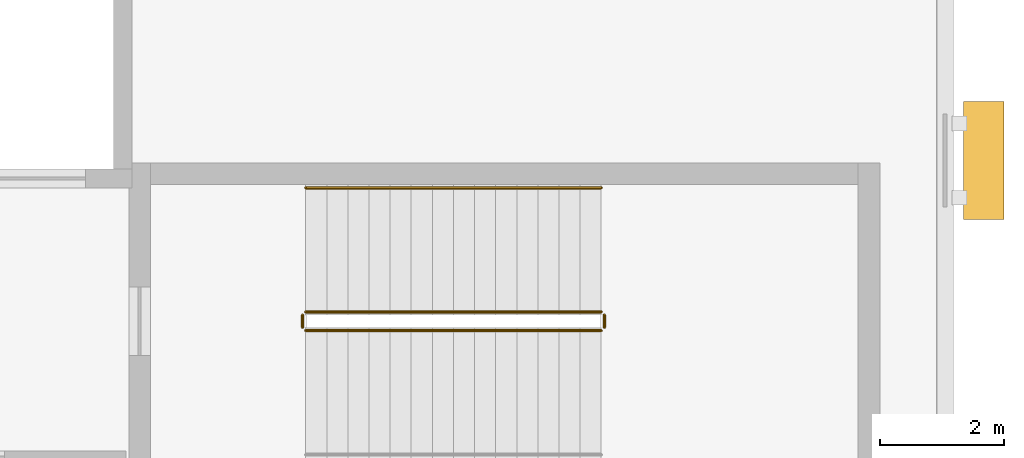
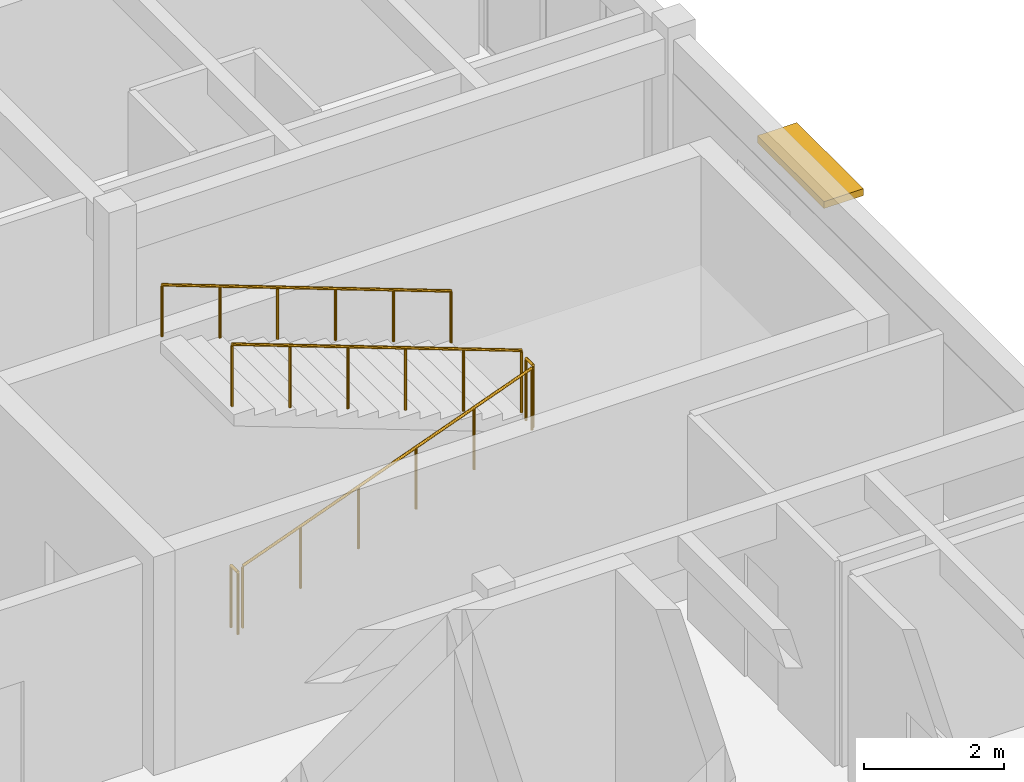
# One storey, part 17 of 17: 5 railings, 1 shading device.
"""IFC4 building model written with IfcOpenShell, lengths in metres."""

from ifc_helpers import new_model, si_unit, direction, frame, origin, origin_2d, place, context, subcontext, project, spatial, rectangle, circle, extrude, material, type_object, element, save


model = new_model("IFC4")

# Units and contexts
model_context = context("Model", 3, precision=1e-05, world=origin(), true_north=direction((0.0, 1.0)))
body_context = subcontext(model_context, "Body", "Model", "MODEL_VIEW")
ifc_project = project(units=[si_unit("LENGTHUNIT", "METRE"), si_unit("AREAUNIT", "SQUARE_METRE"), si_unit("VOLUMEUNIT", "CUBIC_METRE"), si_unit("PLANEANGLEUNIT", "RADIAN"), si_unit("MASSUNIT", "GRAM", prefix="KILO")], contexts=[model_context])

# Site, building, storey
site_placement = place(None, origin())
site = spatial("IfcSite", under=ifc_project, at=site_placement, CompositionType="ELEMENT")
building_placement = place(site_placement, origin())
building = spatial("IfcBuilding", under=site, at=building_placement, Name="Veldera Park Congress Hotel", CompositionType="ELEMENT")
storey_placement = place(building_placement, frame((0.0, 0.0, 35.199951171875)))
storey = spatial("IfcBuildingStorey", under=building, at=storey_placement, Name="L08", CompositionType="ELEMENT", Elevation=35.199951171875)

# Railings
ifc_material_1 = material(Name="Steel ASTM A992 Gr.50", Category="steel")
railing_type_1 = type_object("IfcRailingType", Name="GRD-ST110", PredefinedType="GUARDRAIL", material=ifc_material_1)
railing_1_placement = place(storey_placement, frame((73.699951171875, 41.64990234375, 0.126708984375)))
element("IfcRailing", 1, at=railing_1_placement, inside=storey, type_object=railing_type_1, Name="L08 ST1 stair guard 1", PredefinedType="GUARDRAIL", context=body_context, shape_type="SweptSolid", body=[
    extrude(circle(Radius=0.02392578125, at=origin_2d()), frame((0.0, 0.0, 1.076171875), z_axis=(0.937075640343, 0.0, 0.349126401572), x_axis=(0.0, 1.0, 0.0)), (0.0, 0.0, 1.0), 5.07958984375),
    extrude(circle(Radius=0.02099609375, at=origin_2d()), origin(), (0.0, 0.0, 1.0), 1.052001953125),
    extrude(circle(Radius=0.02099609375, at=origin_2d()), frame((0.951904296875, 0.0, 0.354736328125)), (0.0, 0.0, 1.0), 1.052001953125),
    extrude(circle(Radius=0.02099609375, at=origin_2d()), frame((1.904052734375, 0.0, 0.70947265625)), (0.0, 0.0, 1.0), 1.052001953125),
    extrude(circle(Radius=0.02099609375, at=origin_2d()), frame((2.85595703125, 0.0, 1.06396484375)), (0.0, 0.0, 1.0), 1.052001953125),
    extrude(circle(Radius=0.02099609375, at=origin_2d()), frame((3.80810546875, 0.0, 1.418701171875)), (0.0, 0.0, 1.0), 1.052001953125),
    extrude(circle(Radius=0.02099609375, at=origin_2d()), frame((4.760009765625, 0.0, 1.7734375)), (0.0, 0.0, 1.0), 1.052001953125),
])
railing_2_placement = place(storey_placement, frame((78.510009765625, 41.699951171875, 1.900146484375)))
element("IfcRailing", 2, at=railing_2_placement, inside=storey, type_object=railing_type_1, Name="L08 ST1 stair guard 2", PredefinedType="GUARDRAIL", context=body_context, shape_type="SweptSolid", body=[
    extrude(circle(Radius=0.02392578125, at=origin_2d()), frame((0.0, 0.0, 1.076171875), z_axis=(0.0, 1.0, 0.0), x_axis=(-1.0, 0.0, 0.0)), (0.0, 0.0, 1.0), 0.199951171875),
    extrude(circle(Radius=0.02099609375, at=origin_2d()), origin(), (0.0, 0.0, 1.0), 1.052001953125),
    extrude(circle(Radius=0.02099609375, at=origin_2d()), frame((0.0, 0.199951171875, 0.0)), (0.0, 0.0, 1.0), 1.052001953125),
])
railing_3_placement = place(storey_placement, frame((78.4599609375, 41.949951171875, 2.026611328125)))
element("IfcRailing", 3, at=railing_3_placement, inside=storey, type_object=railing_type_1, Name="L08 ST1 stair guard 3", PredefinedType="GUARDRAIL", context=body_context, shape_type="SweptSolid", body=[
    extrude(circle(Radius=0.02392578125, at=origin_2d()), frame((0.0, 0.0, 1.076171875), z_axis=(-0.937075640343, 0.0, 0.349126401572), x_axis=(0.0, -1.0, 0.0)), (0.0, 0.0, 1.0), 5.07958984375),
    extrude(circle(Radius=0.02099609375, at=origin_2d()), origin(), (0.0, 0.0, 1.0), 1.052001953125),
    extrude(circle(Radius=0.02099609375, at=origin_2d()), frame((-0.951904296875, 0.0, 0.354736328125)), (0.0, 0.0, 1.0), 1.052001953125),
    extrude(circle(Radius=0.02099609375, at=origin_2d()), frame((-1.904052734375, 0.0, 0.70947265625)), (0.0, 0.0, 1.0), 1.052001953125),
    extrude(circle(Radius=0.02099609375, at=origin_2d()), frame((-2.85595703125, 0.0, 1.06396484375)), (0.0, 0.0, 1.0), 1.052001953125),
    extrude(circle(Radius=0.02099609375, at=origin_2d()), frame((-3.80810546875, 0.0, 1.418701171875)), (0.0, 0.0, 1.0), 1.052001953125),
    extrude(circle(Radius=0.02099609375, at=origin_2d()), frame((-4.760009765625, 0.0, 1.7734375)), (0.0, 0.0, 1.0), 1.052001953125),
])
railing_4_placement = place(storey_placement, frame((73.64990234375, 41.699951171875, 0.0)))
element("IfcRailing", 4, at=railing_4_placement, inside=storey, type_object=railing_type_1, Name="L08 ST1 stair guard 4", PredefinedType="GUARDRAIL", context=body_context, shape_type="SweptSolid", body=[
    extrude(circle(Radius=0.02392578125, at=origin_2d()), frame((0.0, 0.0, 1.076171875), z_axis=(0.0, 1.0, 0.0), x_axis=(-1.0, 0.0, 0.0)), (0.0, 0.0, 1.0), 0.199951171875),
    extrude(circle(Radius=0.02099609375, at=origin_2d()), origin(), (0.0, 0.0, 1.0), 1.052001953125),
    extrude(circle(Radius=0.02099609375, at=origin_2d()), frame((0.0, 0.199951171875, 0.0)), (0.0, 0.0, 1.0), 1.052001953125),
])
railing_type_2 = type_object("IfcRailingType", Name="HRL-920", PredefinedType="HANDRAIL", material=ifc_material_1)
railing_5_placement = place(storey_placement, frame((78.4599609375, 43.949951171875, 2.026611328125)))
element("IfcRailing", 5, at=railing_5_placement, inside=storey, type_object=railing_type_2, Name="L08 ST1 stair handrail 2", PredefinedType="HANDRAIL", context=body_context, shape_type="SweptSolid", body=[
    extrude(circle(Radius=0.02392578125, at=origin_2d()), frame((0.0, 0.0, 0.89599609375), z_axis=(-0.937075640343, 0.0, 0.349126401572), x_axis=(0.0, -1.0, 0.0)), (0.0, 0.0, 1.0), 5.07958984375),
    extrude(circle(Radius=0.02099609375, at=origin_2d()), origin(), (0.0, 0.0, 1.0), 0.871826171875),
    extrude(circle(Radius=0.02099609375, at=origin_2d()), frame((-0.951904296875, 0.0, 0.354736328125)), (0.0, 0.0, 1.0), 0.871826171875),
    extrude(circle(Radius=0.02099609375, at=origin_2d()), frame((-1.904052734375, 0.0, 0.70947265625)), (0.0, 0.0, 1.0), 0.871826171875),
    extrude(circle(Radius=0.02099609375, at=origin_2d()), frame((-2.85595703125, 0.0, 1.06396484375)), (0.0, 0.0, 1.0), 0.871826171875),
    extrude(circle(Radius=0.02099609375, at=origin_2d()), frame((-3.80810546875, 0.0, 1.418701171875)), (0.0, 0.0, 1.0), 0.871826171875),
    extrude(circle(Radius=0.02099609375, at=origin_2d()), frame((-4.760009765625, 0.0, 1.7734375)), (0.0, 0.0, 1.0), 0.871826171875),
])

# Shading device
ifc_material_2 = material(Name="Glulam GL28h (NDS 24F-V4)", Category="wood")
shading_device_type = type_object("IfcShadingDeviceType", Name="SHD-LVR300", PredefinedType="JALOUSIE", material=ifc_material_2)
shading_device_placement = place(storey_placement, frame((84.625, 44.388427734375, 2.619873046875), z_axis=(0.0, 0.0, 1.0), x_axis=(0.0, 1.0, 0.0)))
element("IfcShadingDevice", 6, at=shading_device_placement, inside=storey, type_object=shading_device_type, Name="Glulam Solar Shade 216", PredefinedType="JALOUSIE", context=body_context, shape_type="SweptSolid", body=[
    extrude(rectangle(XDim=1.89990234375, YDim=0.64990234375, at=origin_2d()), origin(), (0.0, 0.0, 1.0), 0.1201171875),
])

save(model, "model.ifc")
